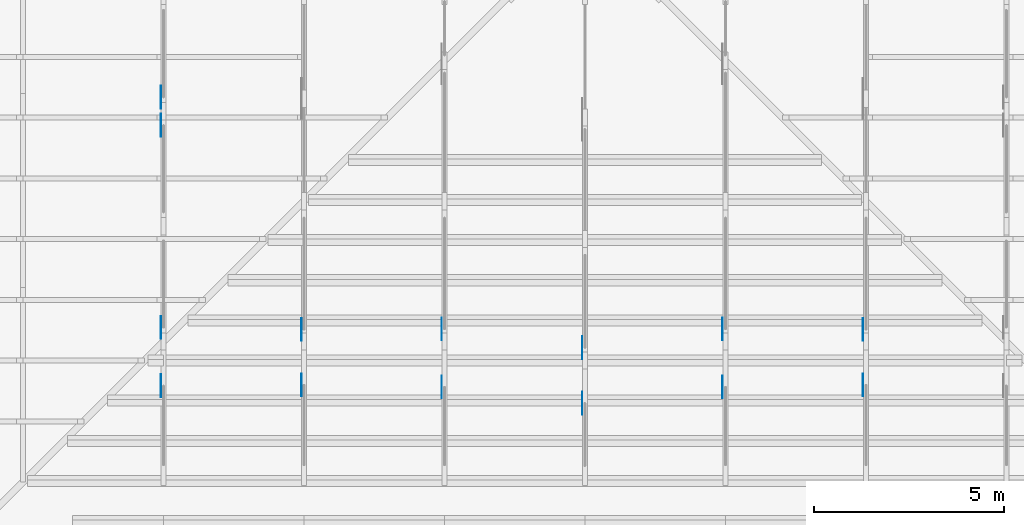
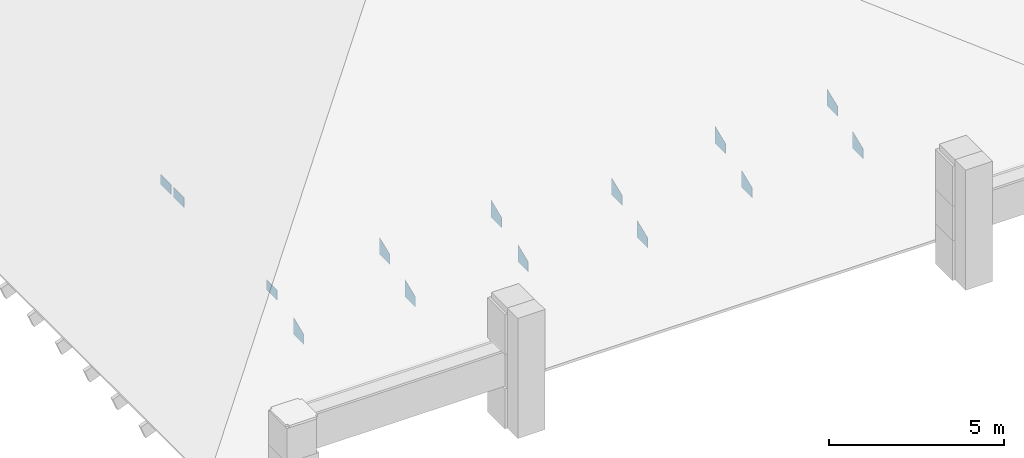
# One storey, part 39 of 68: 14 discrete accessories.
"""IFC4 building model written with IfcOpenShell, lengths in metres."""

from ifc_helpers import new_model, si_unit, direction, frame, origin, place, context, subcontext, project, spatial, polyline, outline, extrude, element, save


model = new_model("IFC4")

# Units and contexts
model_context = context("Model", 3, precision=1e-05, world=origin(), true_north=direction((0.0, 1.0)))
body_context = subcontext(model_context, "Body", "Model", "MODEL_VIEW")
ifc_project = project(units=[si_unit("LENGTHUNIT", "METRE"), si_unit("AREAUNIT", "SQUARE_METRE"), si_unit("VOLUMEUNIT", "CUBIC_METRE"), si_unit("PLANEANGLEUNIT", "RADIAN"), si_unit("MASSUNIT", "GRAM", prefix="KILO")], contexts=[model_context])

# Site, building, storey
site_placement = place(None, origin())
site = spatial("IfcSite", under=ifc_project, at=site_placement, CompositionType="ELEMENT")
building_placement = place(site_placement, origin())
building = spatial("IfcBuilding", under=site, at=building_placement, Name="Wasatch Bagh Community Centre", CompositionType="ELEMENT")
storey_placement = place(building_placement, frame((0.0, 0.0, 8.39990234375)))
storey = spatial("IfcBuildingStorey", under=building, at=storey_placement, Name="L02", CompositionType="ELEMENT", Elevation=8.39990234375)

# Discrete accessories
discrete_accessory_1_placement = place(storey_placement, frame((69.822509765625, 8.437255859375, 0.86767578125), z_axis=(-1.0, 0.0, 0.0), x_axis=(0.0, 0.927143538775, 0.374706363046)))
element("IfcDiscreteAccessory", 1, at=discrete_accessory_1_placement, inside=storey, Name="Gusset plate", PredefinedType="BRACKET", context=body_context, shape_type="SweptSolid", body=[
    extrude(outline(polyline([(0.0, 0.0), (0.646990989569253, 2.7755575615628914e-17), (0.4249664917390432, 0.5493597091327549), (-0.13118381948435145, 0.3245907799325795), (0.0, 0.0)])), origin(), (0.0, 0.0, -1.0), 0.011962890625),
])
discrete_accessory_2_placement = place(storey_placement, frame((69.822509765625, 9.970947265625, 1.4873046875), z_axis=(-1.0, 0.0, 0.0), x_axis=(0.0, 0.999978814808, 0.006509219299)))
element("IfcDiscreteAccessory", 2, at=discrete_accessory_2_placement, inside=storey, Name="Gusset plate", PredefinedType="BRACKET", context=body_context, shape_type="SweptSolid", body=[
    extrude(outline(polyline([(0.0, 0.0), (0.600110369703612, 0.0), (0.5978060806451309, 0.3539964066091544), (-0.0022788624205943827, 0.350090239363812), (0.0, 0.0)])), origin(), (0.0, 0.0, -1.0), 0.011962890625),
])
for number, where, z_axis, x_axis, name in (
    (3, (69.822509765625, 15.295654296875, 1.494384765625), (-1.0, 0.0, 0.0), (0.0, 1.0, 0.0), "Gusset plate"),
    (4, (69.822509765625, 16.03759765625, 1.494384765625), (-1.0, 0.0, 0.0), (0.0, 1.0, 0.0), "Gusset plate"),
):
    element("IfcDiscreteAccessory", number, at=place(storey_placement, frame(where, z_axis=z_axis, x_axis=x_axis)), inside=storey, Name=name, PredefinedType="BRACKET", context=body_context, shape_type="SweptSolid", body=[
        extrude(outline(polyline([(0.0, 0.0), (0.60009765625, 0.0), (0.60009765625, 0.349853515625), (0.0, 0.349853515625), (0.0, 0.0)])), origin(), (0.0, 0.0, -1.0), 0.011962890625),
    ])
discrete_accessory_3_placement = place(storey_placement, frame((73.5224609375, 8.4580078125, 0.870361328125), z_axis=(-1.0, 0.0, 0.0), x_axis=(0.0, 0.926014333695, 0.377488349212)))
element("IfcDiscreteAccessory", 5, at=discrete_accessory_3_placement, inside=storey, Name="Gusset plate", PredefinedType="BRACKET", context=body_context, shape_type="SweptSolid", body=[
    extrude(outline(polyline([(0.0, 0.0), (0.6480435932943203, 2.7755575615628914e-17), (0.42354124498374657, 0.5507253215043815), (-0.13215778632075645, 0.324195447880658), (0.0, 0.0)])), origin(), (0.0, 0.0, -1.0), 0.011962890625),
])
discrete_accessory_4_placement = place(storey_placement, frame((73.5224609375, 9.91845703125, 1.4658203125), z_axis=(-1.0, 0.0, 0.0), x_axis=(0.0, 0.92706544536, 0.374899533234)))
element("IfcDiscreteAccessory", 6, at=discrete_accessory_4_placement, inside=storey, Name="Gusset plate", PredefinedType="BRACKET", context=body_context, shape_type="SweptSolid", body=[
    extrude(outline(polyline([(0.0, 0.0), (0.6473088380688472, 0.0), (0.42507835303681585, 0.5495397708337355), (-0.13125144791430518, 0.3245634396110283), (0.0, 0.0)])), origin(), (0.0, 0.0, -1.0), 0.011962890625),
])
for number, where, z_axis, x_axis, name in (
    (7, (77.222412109375, 8.403076171875, 0.834228515625), (-1.0, 0.0, 0.0), (0.0, 0.926014333695, 0.377488349212), "Gusset plate"),
    (8, (77.222412109375, 9.93017578125, 1.456787109375), (-1.0, 0.0, 0.0), (0.0, 0.926014333695, 0.377488349212), "Gusset plate"),
):
    element("IfcDiscreteAccessory", number, at=place(storey_placement, frame(where, z_axis=z_axis, x_axis=x_axis)), inside=storey, Name=name, PredefinedType="BRACKET", context=body_context, shape_type="SweptSolid", body=[
        extrude(outline(polyline([(0.0, 0.0), (0.6480435932943203, 2.7755575615628914e-17), (0.4236334052252534, 0.5504992437861941), (-0.13206562607924965, 0.3239693701624707), (0.0, 0.0)])), origin(), (0.0, 0.0, -1.0), 0.011962890625),
    ])
discrete_accessory_5_placement = place(storey_placement, frame((80.92236328125, 7.97900390625, 0.63818359375), z_axis=(-1.0, 0.0, 0.0), x_axis=(0.0, 0.925486967904, 0.378779450656)))
element("IfcDiscreteAccessory", 9, at=discrete_accessory_5_placement, inside=storey, Name="Gusset plate", PredefinedType="BRACKET", context=body_context, shape_type="SweptSolid", body=[
    extrude(outline(polyline([(0.0, 0.0), (0.6484128648605381, 0.0), (0.42277276241912054, 0.5513154789274397), (-0.13260979791024294, 0.3240108183532576), (0.0, 0.0)])), origin(), (0.0, 0.0, -1.0), 0.011962890625),
])
discrete_accessory_6_placement = place(storey_placement, frame((80.92236328125, 9.438720703125, 1.236083984375), z_axis=(-1.0, 0.0, 0.0), x_axis=(0.0, 0.925354939309, 0.379101881157)))
element("IfcDiscreteAccessory", 10, at=discrete_accessory_6_placement, inside=storey, Name="Gusset plate", PredefinedType="BRACKET", context=body_context, shape_type="SweptSolid", body=[
    extrude(outline(polyline([(0.0, 0.0), (0.6485053796743581, 0.0), (0.42258065020553515, 0.551462745813671), (-0.13272268007304058, 0.3239645954513741), (0.0, 0.0)])), origin(), (0.0, 0.0, -1.0), 0.011962890625),
])
for number, where, z_axis, x_axis, name in (
    (11, (84.622314453125, 8.403076171875, 0.834228515625), (-1.0, 0.0, 0.0), (0.0, 0.926014333695, 0.377488349212), "Gusset plate"),
    (12, (84.622314453125, 9.93017578125, 1.456787109375), (-1.0, 0.0, 0.0), (0.0, 0.926014333695, 0.377488349212), "Gusset plate"),
):
    element("IfcDiscreteAccessory", number, at=place(storey_placement, frame(where, z_axis=z_axis, x_axis=x_axis)), inside=storey, Name=name, PredefinedType="BRACKET", context=body_context, shape_type="SweptSolid", body=[
        extrude(outline(polyline([(0.0, 0.0), (0.6480435932943203, 2.7755575615628914e-17), (0.4236334052252534, 0.5504992437861941), (-0.13206562607924965, 0.3239693701624707), (0.0, 0.0)])), origin(), (0.0, 0.0, -1.0), 0.011962890625),
    ])
discrete_accessory_7_placement = place(storey_placement, frame((88.322509765625, 8.4580078125, 0.870361328125), z_axis=(-1.0, 0.0, 0.0), x_axis=(0.0, 0.926014333695, 0.377488349212)))
element("IfcDiscreteAccessory", 13, at=discrete_accessory_7_placement, inside=storey, Name="Gusset plate", PredefinedType="BRACKET", context=body_context, shape_type="SweptSolid", body=[
    extrude(outline(polyline([(0.0, 0.0), (0.6480435932943203, 2.7755575615628914e-17), (0.42354124498374657, 0.5507253215043815), (-0.13215778632075645, 0.324195447880658), (0.0, 0.0)])), origin(), (0.0, 0.0, -1.0), 0.011962890625),
])
discrete_accessory_8_placement = place(storey_placement, frame((88.322509765625, 9.91845703125, 1.4658203125), z_axis=(-1.0, 0.0, 0.0), x_axis=(0.0, 0.92706544536, 0.374899533234)))
element("IfcDiscreteAccessory", 14, at=discrete_accessory_8_placement, inside=storey, Name="Gusset plate", PredefinedType="BRACKET", context=body_context, shape_type="SweptSolid", body=[
    extrude(outline(polyline([(0.0, 0.0), (0.6473088380688472, 0.0), (0.42507835303681585, 0.5495397708337355), (-0.13125144791430518, 0.3245634396110283), (0.0, 0.0)])), origin(), (0.0, 0.0, -1.0), 0.011962890625),
])

save(model, "model.ifc")
